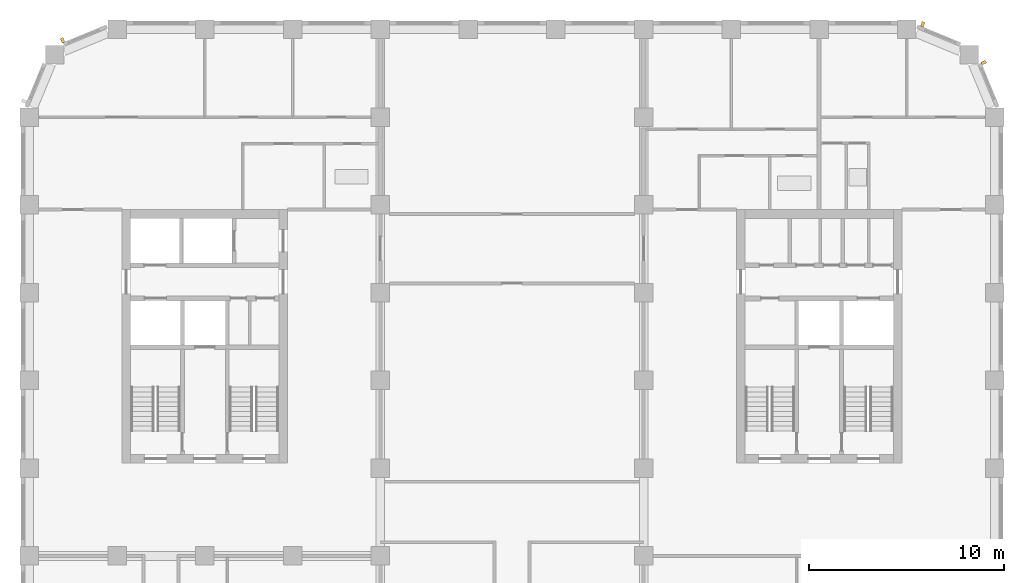
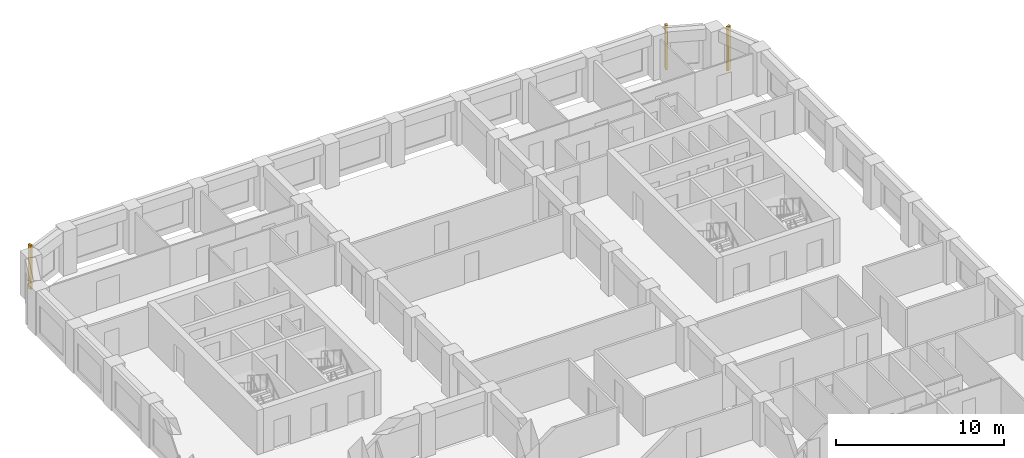
# One storey, part 11 of 12: 3 shading devices.
"""IFC4 building model written with IfcOpenShell, lengths in metres."""

from ifc_helpers import new_model, si_unit, direction, frame, origin, origin_2d, place, context, subcontext, project, spatial, rectangle, extrude, material, type_object, element, save


model = new_model("IFC4")

# Units and contexts
model_context = context("Model", 3, precision=1e-05, world=origin(), true_north=direction((0.0, 1.0)))
body_context = subcontext(model_context, "Body", "Model", "MODEL_VIEW")
ifc_project = project(units=[si_unit("LENGTHUNIT", "METRE"), si_unit("AREAUNIT", "SQUARE_METRE"), si_unit("VOLUMEUNIT", "CUBIC_METRE"), si_unit("PLANEANGLEUNIT", "RADIAN"), si_unit("MASSUNIT", "GRAM", prefix="KILO")], contexts=[model_context])

# Site, building, storey
site_placement = place(None, origin())
site = spatial("IfcSite", under=ifc_project, at=site_placement, CompositionType="ELEMENT")
building_placement = place(site_placement, origin())
building = spatial("IfcBuilding", under=site, at=building_placement, Name="Girih Gate Residences", CompositionType="ELEMENT")
storey_placement = place(building_placement, frame((0.0, 0.0, 139.800048828125)))
storey = spatial("IfcBuildingStorey", under=building, at=storey_placement, Name="L39", CompositionType="ELEMENT", Elevation=139.800048828125)

# Shading devices
ifc_material = material(Name="Precast concrete C50/60", Category="concrete")
shading_device_type = type_object("IfcShadingDeviceType", Name="Corner rib 150x250", PredefinedType="USERDEFINED", material=ifc_material)
for number, where, z_axis, x_axis, name in (
    (1, (48.937744140625, 47.794677734375, 0.0), (0.0, 0.0, 1.0), (-0.382683432365, 0.923879532511, 0.0), "Corner rib NE0495_0450.0"),
    (2, (45.808349609375, 49.760498046875, 0.0), (0.0, 0.0, 1.0), (-0.923879532511, 0.382683432365, 0.0), "Corner rib NE0482_0482.0"),
    (3, (1.705322265625, 48.937744140625, 0.0), (0.0, 0.0, 1.0), (-0.923879532511, -0.382683432365, 0.0), "Corner rib NW0045_0495.0"),
):
    element("IfcShadingDevice", number, at=place(storey_placement, frame(where, z_axis=z_axis, x_axis=x_axis)), inside=storey, type_object=shading_device_type, Name=name, ObjectType="FIN", PredefinedType="USERDEFINED", context=body_context, shape_type="SweptSolid", body=[
        extrude(rectangle(XDim=0.14990234375, YDim=0.25, at=origin_2d()), origin(), (0.0, 0.0, 1.0), 3.199951171875),
    ])

save(model, "model.ifc")
